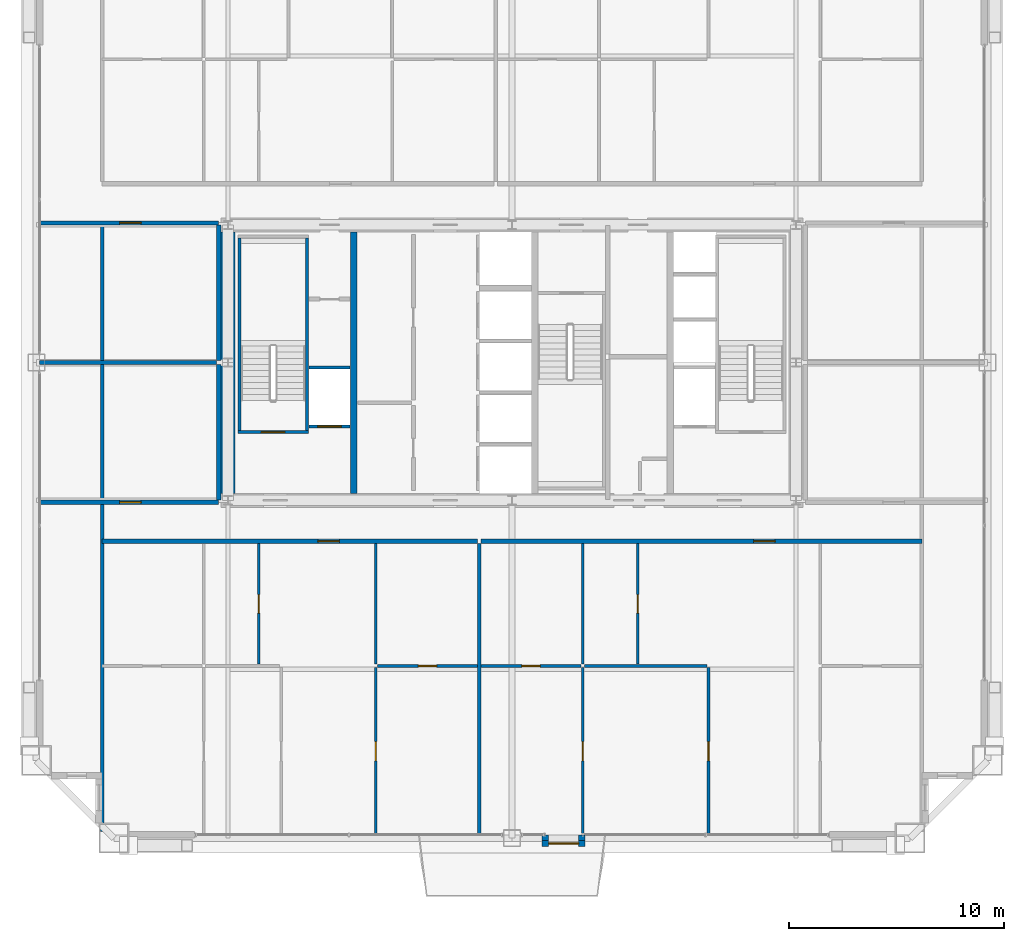
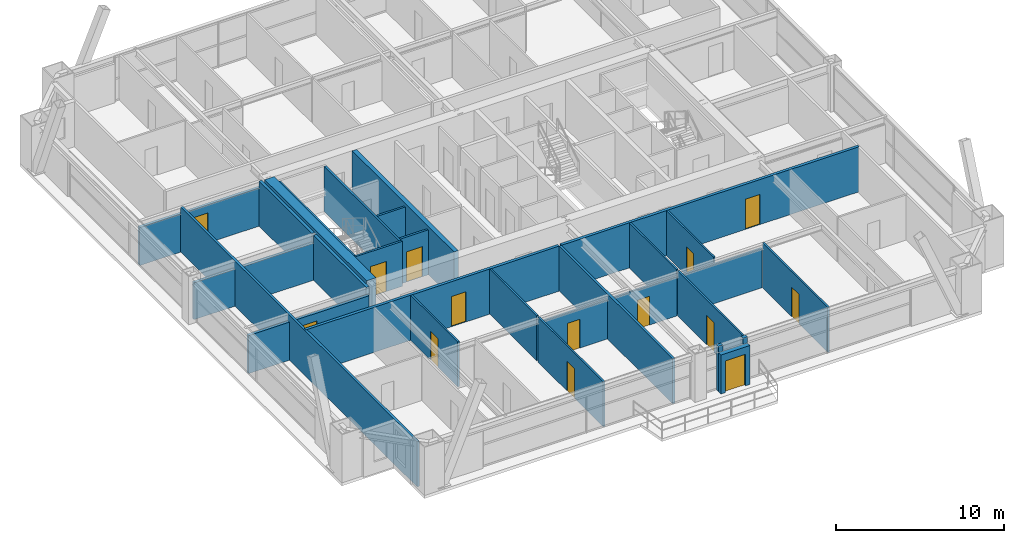
# One storey, part 40 of 45: 29 walls, 14 doors, 14 openings.
"""IFC4 building model written with IfcOpenShell, lengths in metres."""

from ifc_helpers import new_model, si_unit, direction, frame, frame_2d, origin, place, context, subcontext, project, spatial, rectangle, extrude, source, transform, mapped, material, layer, layer_set, type_object, element, fill, save


model = new_model("IFC4")

# Units and contexts
model_context = context("Model", 3, precision=1e-05, world=origin(), true_north=direction((0.0, 1.0)))
body_context = subcontext(model_context, "Body", "Model", "MODEL_VIEW")
ifc_project = project(units=[si_unit("LENGTHUNIT", "METRE"), si_unit("AREAUNIT", "SQUARE_METRE"), si_unit("VOLUMEUNIT", "CUBIC_METRE"), si_unit("PLANEANGLEUNIT", "RADIAN"), si_unit("MASSUNIT", "GRAM", prefix="KILO"), si_unit("THERMODYNAMICTEMPERATUREUNIT", "KELVIN"), si_unit("POWERUNIT", "WATT")], contexts=[model_context])

# Site, building, storey
site_placement = place(None, origin())
site = spatial("IfcSite", under=ifc_project, at=site_placement, CompositionType="ELEMENT")
building_placement = place(site_placement, origin())
building = spatial("IfcBuilding", under=site, at=building_placement, Name="Yuzanri Waterfront Tower", CompositionType="ELEMENT")
storey_placement = place(building_placement, frame((0.0, 0.0, 212.5)))
storey = spatial("IfcBuildingStorey", under=building, at=storey_placement, Name="L56", CompositionType="ELEMENT", Elevation=212.5)

# Wall, opening, door
ifc_material_1 = material(Name="Moisture-Resistant Gypsum Stud Wall", Category="gypsum")
ifc_layer_1 = layer(ifc_material_1, 0.1201171875)
ifc_layer_set_1 = layer_set([ifc_layer_1], Name="Moisture-Resistant Gypsum Stud Wall")
wall_type_1 = type_object("IfcWallType", Name="Bathroom and Kitchen Wet Partition 120", PredefinedType="PARTITIONING", material=ifc_layer_set_1)
wall_1_placement = place(storey_placement, frame((25.22705078125, 11.780029296875, 0.0), z_axis=(0.0, 0.0, 1.0), x_axis=(0.0, 1.0, 0.0)))
wall_1 = element("IfcWall", 1, at=wall_1_placement, inside=storey, type_object=wall_type_1, Name="L56 Partition UW-L56-RS1-SUB-2-E", PredefinedType="PARTITIONING", context=body_context, shape_type="SweptSolid", body=[
    extrude(rectangle(XDim=5.60986328125, YDim=0.1201171875, at=frame_2d((2.804931640625, 0.0))), origin(), (0.0, 0.0, 1.0), 3.280029296875),
])
opening_1_placement = place(wall_1_placement, frame((2.3798828125, 0.0, 0.0)))
opening_1 = element("IfcOpeningElement", 2, at=opening_1_placement, cuts=wall_1, Name="Opening ID-0850", PredefinedType="OPENING", context=body_context, shape_type="SweptSolid", body=[
    extrude(rectangle(XDim=0.85009765625, YDim=2.10009765625, at=frame_2d((0.425048828125, 1.050048828125))), frame((0.0, 0.074951171875, 0.0), z_axis=(0.0, -1.0, 0.0), x_axis=(1.0, 0.0, 0.0)), (0.0, 0.0, 1.0), 0.14990234375),
])
ifc_material_2 = material(Name="Moisture-Resistant Lacquered Timber", Category="wood")
door_type_1 = type_object("IfcDoorType", Name="En-Suite Bathroom and Kitchen Swing Door 850x2100", OperationType="NOTDEFINED", PredefinedType="DOOR", material=ifc_material_2)
shared_shape_1 = source(origin(), body_context, "Body", "SweptSolid", [
    extrude(rectangle(XDim=0.85009765625, YDim=2.10009765625, at=frame_2d((0.425048828125, 1.050048828125))), frame((0.0, 0.02490234375, 0.0), z_axis=(0.0, -1.0, 0.0), x_axis=(1.0, 0.0, 0.0)), (0.0, 0.0, 1.0), 0.050048828125),
])
door_1_placement = place(opening_1_placement, origin())
door_1 = element("IfcDoor", 3, at=door_1_placement, inside=storey, type_object=door_type_1, Name="L56 Suite Interior Room Door", OperationType="SINGLE_SWING_RIGHT", OverallHeight=2.10009765625, OverallWidth=0.85009765625, PredefinedType="DOOR", context=body_context, shape_type="MappedRepresentation", body=[
    mapped(shared_shape_1, transform((0.0, 0.0, 0.0), scale=1.0)),
])
fill(opening_1, door_1)

wall_2_placement = place(storey_placement, frame((30.748046875, 11.699951171875, 0.0), z_axis=(0.0, 0.0, 1.0), x_axis=(1.0, 0.0, 0.0)))
wall_2 = element("IfcWall", 4, at=wall_2_placement, inside=storey, type_object=wall_type_1, Name="L56 Partition UW-L56-RS1-SUB-3-S", PredefinedType="PARTITIONING", context=body_context, shape_type="SweptSolid", body=[
    extrude(rectangle(XDim=4.64697265625, YDim=0.1201171875, at=frame_2d((2.323486328125, 0.0))), origin(), (0.0, 0.0, 1.0), 2.875),
])
opening_2_placement = place(wall_2_placement, frame((1.8984375, 0.0, 0.0)))
opening_2 = element("IfcOpeningElement", 5, at=opening_2_placement, cuts=wall_2, Name="Opening ID-0850", PredefinedType="OPENING", context=body_context, shape_type="SweptSolid", body=[
    extrude(rectangle(XDim=0.85009765625, YDim=2.10009765625, at=frame_2d((0.425048828125, 1.050048828125))), frame((0.0, 0.074951171875, 0.0), z_axis=(0.0, -1.0, 0.0), x_axis=(1.0, 0.0, 0.0)), (0.0, 0.0, 1.0), 0.14990234375),
])
door_2_placement = place(opening_2_placement, origin())
door_2 = element("IfcDoor", 6, at=door_2_placement, inside=storey, type_object=door_type_1, Name="L56 Suite Interior Room Door", OperationType="SINGLE_SWING_LEFT", OverallHeight=2.10009765625, OverallWidth=0.85009765625, PredefinedType="DOOR", context=body_context, shape_type="MappedRepresentation", body=[
    mapped(shared_shape_1, transform((0.0, 0.0, 0.0), scale=1.0)),
])
fill(opening_2, door_2)

wall_3_placement = place(storey_placement, frame((30.66796875, 3.85009765625, 0.0), z_axis=(0.0, 0.0, 1.0), x_axis=(0.0, 1.0, 0.0)))
wall_3 = element("IfcWall", 7, at=wall_3_placement, inside=storey, type_object=wall_type_1, Name="L56 Partition UW-L56-RS1-SUB-5-W", PredefinedType="PARTITIONING", context=body_context, shape_type="SweptSolid", body=[
    extrude(rectangle(XDim=7.77001953125, YDim=0.1201171875, at=frame_2d((3.885009765625, 0.0))), origin(), (0.0, 0.0, 1.0), 3.280029296875),
])
opening_3_placement = place(wall_3_placement, frame((3.43505859375, 0.0, 0.0)))
opening_3 = element("IfcOpeningElement", 8, at=opening_3_placement, cuts=wall_3, Name="Opening ID-0900", PredefinedType="OPENING", context=body_context, shape_type="SweptSolid", body=[
    extrude(rectangle(XDim=0.89990234375, YDim=2.14990234375, at=frame_2d((0.449951171875, 1.074951171875))), frame((0.0, 0.074951171875, 0.0), z_axis=(0.0, -1.0, 0.0), x_axis=(1.0, 0.0, 0.0)), (0.0, 0.0, 1.0), 0.14990234375),
])
ifc_material_3 = material(Name="Stained Walnut Veneer Timber", Category="wood")
door_type_2 = type_object("IfcDoorType", Name="Bedroom and Study Interior Swing Door 900x2150", OperationType="NOTDEFINED", PredefinedType="DOOR", material=ifc_material_3)
shared_shape_2 = source(origin(), body_context, "Body", "SweptSolid", [
    extrude(rectangle(XDim=0.89990234375, YDim=2.14990234375, at=frame_2d((0.449951171875, 1.074951171875))), frame((0.0, 0.02490234375, 0.0), z_axis=(0.0, -1.0, 0.0), x_axis=(1.0, 0.0, 0.0)), (0.0, 0.0, 1.0), 0.050048828125),
])
door_3_placement = place(opening_3_placement, origin())
door_3 = element("IfcDoor", 9, at=door_3_placement, inside=storey, type_object=door_type_2, Name="L56 Suite Interior Room Door", OperationType="SINGLE_SWING_LEFT", OverallHeight=2.14990234375, OverallWidth=0.89990234375, PredefinedType="DOOR", context=body_context, shape_type="MappedRepresentation", body=[
    mapped(shared_shape_2, transform((0.0, 0.0, 0.0), scale=1.0)),
])
fill(opening_3, door_3)

wall_4_placement = place(storey_placement, frame((35.554931640625, 11.699951171875, 0.0), z_axis=(0.0, 0.0, 1.0), x_axis=(1.0, 0.0, 0.0)))
wall_4 = element("IfcWall", 10, at=wall_4_placement, inside=storey, type_object=wall_type_1, Name="L56 Partition UW-L56-RS2-SUB-1-S", PredefinedType="PARTITIONING", context=body_context, shape_type="SweptSolid", body=[
    extrude(rectangle(XDim=4.64697265625, YDim=0.1201171875, at=frame_2d((2.323486328125, 0.0))), origin(), (0.0, 0.0, 1.0), 2.875),
])
opening_4_placement = place(wall_4_placement, frame((1.8984375, 0.0, 0.0)))
opening_4 = element("IfcOpeningElement", 11, at=opening_4_placement, cuts=wall_4, Name="Opening ID-0850", PredefinedType="OPENING", context=body_context, shape_type="SweptSolid", body=[
    extrude(rectangle(XDim=0.85009765625, YDim=2.10009765625, at=frame_2d((0.425048828125, 1.050048828125))), frame((0.0, 0.074951171875, 0.0), z_axis=(0.0, -1.0, 0.0), x_axis=(1.0, 0.0, 0.0)), (0.0, 0.0, 1.0), 0.14990234375),
])
door_4_placement = place(opening_4_placement, origin())
door_4 = element("IfcDoor", 12, at=door_4_placement, inside=storey, type_object=door_type_1, Name="L56 Suite Interior Room Door", OperationType="SINGLE_SWING_RIGHT", OverallHeight=2.10009765625, OverallWidth=0.85009765625, PredefinedType="DOOR", context=body_context, shape_type="MappedRepresentation", body=[
    mapped(shared_shape_1, transform((0.0, 0.0, 0.0), scale=1.0)),
])
fill(opening_4, door_4)

wall_5_placement = place(storey_placement, frame((42.842041015625, 11.780029296875, 0.0), z_axis=(0.0, 0.0, 1.0), x_axis=(0.0, 1.0, 0.0)))
wall_5 = element("IfcWall", 13, at=wall_5_placement, inside=storey, type_object=wall_type_1, Name="L56 Partition UW-L56-RS2-SUB-2-E", PredefinedType="PARTITIONING", context=body_context, shape_type="SweptSolid", body=[
    extrude(rectangle(XDim=5.60986328125, YDim=0.1201171875, at=frame_2d((2.804931640625, 0.0))), origin(), (0.0, 0.0, 1.0), 3.280029296875),
])
opening_5_placement = place(wall_5_placement, frame((2.3798828125, 0.0, 0.0)))
opening_5 = element("IfcOpeningElement", 14, at=opening_5_placement, cuts=wall_5, Name="Opening ID-0850", PredefinedType="OPENING", context=body_context, shape_type="SweptSolid", body=[
    extrude(rectangle(XDim=0.85009765625, YDim=2.10009765625, at=frame_2d((0.425048828125, 1.050048828125))), frame((0.0, 0.074951171875, 0.0), z_axis=(0.0, -1.0, 0.0), x_axis=(1.0, 0.0, 0.0)), (0.0, 0.0, 1.0), 0.14990234375),
])
door_5_placement = place(opening_5_placement, origin())
door_5 = element("IfcDoor", 15, at=door_5_placement, inside=storey, type_object=door_type_1, Name="L56 Suite Interior Room Door", OperationType="SINGLE_SWING_LEFT", OverallHeight=2.10009765625, OverallWidth=0.85009765625, PredefinedType="DOOR", context=body_context, shape_type="MappedRepresentation", body=[
    mapped(shared_shape_1, transform((0.0, 0.0, 0.0), scale=1.0)),
])
fill(opening_5, door_5)

wall_6_placement = place(storey_placement, frame((40.281982421875, 3.85009765625, 0.0), z_axis=(0.0, 0.0, 1.0), x_axis=(0.0, 1.0, 0.0)))
wall_6 = element("IfcWall", 16, at=wall_6_placement, inside=storey, type_object=wall_type_1, Name="L56 Partition UW-L56-RS2-SUB-4-E", PredefinedType="PARTITIONING", context=body_context, shape_type="SweptSolid", body=[
    extrude(rectangle(XDim=7.77001953125, YDim=0.1201171875, at=frame_2d((3.885009765625, 0.0))), origin(), (0.0, 0.0, 1.0), 3.280029296875),
])
opening_6_placement = place(wall_6_placement, frame((3.43505859375, 0.0, 0.0)))
opening_6 = element("IfcOpeningElement", 17, at=opening_6_placement, cuts=wall_6, Name="Opening ID-0900", PredefinedType="OPENING", context=body_context, shape_type="SweptSolid", body=[
    extrude(rectangle(XDim=0.89990234375, YDim=2.14990234375, at=frame_2d((0.449951171875, 1.074951171875))), frame((0.0, 0.074951171875, 0.0), z_axis=(0.0, -1.0, 0.0), x_axis=(1.0, 0.0, 0.0)), (0.0, 0.0, 1.0), 0.14990234375),
])
door_6_placement = place(opening_6_placement, origin())
door_6 = element("IfcDoor", 18, at=door_6_placement, inside=storey, type_object=door_type_2, Name="L56 Suite Interior Room Door", OperationType="SINGLE_SWING_LEFT", OverallHeight=2.14990234375, OverallWidth=0.89990234375, PredefinedType="DOOR", context=body_context, shape_type="MappedRepresentation", body=[
    mapped(shared_shape_2, transform((0.0, 0.0, 0.0), scale=1.0)),
])
fill(opening_6, door_6)

wall_7_placement = place(storey_placement, frame((46.133056640625, 3.85009765625, 0.0), z_axis=(0.0, 0.0, 1.0), x_axis=(0.0, 1.0, 0.0)))
wall_7 = element("IfcWall", 19, at=wall_7_placement, inside=storey, type_object=wall_type_1, Name="L56 Partition UW-L56-RS2-SUB-6-E", PredefinedType="PARTITIONING", context=body_context, shape_type="SweptSolid", body=[
    extrude(rectangle(XDim=7.77001953125, YDim=0.1201171875, at=frame_2d((3.885009765625, 0.0))), origin(), (0.0, 0.0, 1.0), 3.280029296875),
])
opening_7_placement = place(wall_7_placement, frame((3.43505859375, 0.0, 0.0)))
opening_7 = element("IfcOpeningElement", 20, at=opening_7_placement, cuts=wall_7, Name="Opening ID-0900", PredefinedType="OPENING", context=body_context, shape_type="SweptSolid", body=[
    extrude(rectangle(XDim=0.89990234375, YDim=2.14990234375, at=frame_2d((0.449951171875, 1.074951171875))), frame((0.0, 0.074951171875, 0.0), z_axis=(0.0, -1.0, 0.0), x_axis=(1.0, 0.0, 0.0)), (0.0, 0.0, 1.0), 0.14990234375),
])
door_7_placement = place(opening_7_placement, origin())
door_7 = element("IfcDoor", 21, at=door_7_placement, inside=storey, type_object=door_type_2, Name="L56 Suite Interior Room Door", OperationType="SINGLE_SWING_LEFT", OverallHeight=2.14990234375, OverallWidth=0.89990234375, PredefinedType="DOOR", context=body_context, shape_type="MappedRepresentation", body=[
    mapped(shared_shape_2, transform((0.0, 0.0, 0.0), scale=1.0)),
])
fill(opening_7, door_7)

ifc_material_4 = material(Name="Honed Chongqing Dark Basalt Stone", Category="masonry")
ifc_layer_2 = layer(ifc_material_4, 0.300048828125)
ifc_layer_set_2 = layer_set([ifc_layer_2], Name="Honed Chongqing Dark Basalt Stone")
wall_type_2 = type_object("IfcWallType", Name="Bronze Rainscreen Insulated Spandrel Portal Wall 300", PredefinedType="SOLIDWALL", material=ifc_layer_set_2)
wall_8_placement = place(storey_placement, frame((38.39990234375, 3.449951171875, 0.0), z_axis=(0.0, 0.0, 1.0), x_axis=(1.0, 0.0, 0.0)))
wall_8 = element("IfcWall", 22, at=wall_8_placement, inside=storey, type_object=wall_type_2, Name="L56 S Terrace Door Portal Wall", PredefinedType="SOLIDWALL", context=body_context, shape_type="SweptSolid", body=[
    extrude(rectangle(XDim=2.0, YDim=0.300048828125, at=frame_2d((1.0, 0.0))), origin(), (0.0, 0.0, 1.0), 2.8349609375),
])
opening_8_placement = place(wall_8_placement, frame((0.300048828125, 0.0, 0.0)))
opening_8 = element("IfcOpeningElement", 23, at=opening_8_placement, cuts=wall_8, Name="Opening TD-1400", PredefinedType="OPENING", context=body_context, shape_type="SweptSolid", body=[
    extrude(rectangle(XDim=1.39990234375, YDim=2.300048828125, at=frame_2d((0.699951171875, 1.14990234375))), frame((0.0, 0.1650390625, 0.0), z_axis=(0.0, -1.0, 0.0), x_axis=(1.0, 0.0, 0.0)), (0.0, 0.0, 1.0), 0.329833984375),
])
ifc_material_5 = material(Name="Anodized Architectural Bronze", Category="metal")
door_type_3 = type_object("IfcDoorType", Name="Anodized Bronze Balcony and Terrace Glazed Double Door 1400x2300", OperationType="NOTDEFINED", PredefinedType="DOOR", material=ifc_material_5)
shared_shape_3 = source(origin(), body_context, "Body", "SweptSolid", [
    extrude(rectangle(XDim=1.39990234375, YDim=2.300048828125, at=frame_2d((0.699951171875, 1.14990234375))), frame((0.0, 0.02490234375, 0.0), z_axis=(0.0, -1.0, 0.0), x_axis=(1.0, 0.0, 0.0)), (0.0, 0.0, 1.0), 0.050048828125),
])
door_8_placement = place(opening_8_placement, origin())
door_8 = element("IfcDoor", 24, at=door_8_placement, inside=storey, type_object=door_type_3, Name="L56 S Terrace Glazed Double Door", OperationType="DOUBLE_DOOR_SINGLE_SWING", OverallHeight=2.300048828125, OverallWidth=1.39990234375, PredefinedType="DOOR", context=body_context, shape_type="MappedRepresentation", body=[
    mapped(shared_shape_3, transform((0.0, 0.0, 0.0), scale=1.0)),
])
fill(opening_8, door_8)

ifc_material_6 = material(Name="Concrete C40", Category="concrete")
ifc_layer_3 = layer(ifc_material_6, 0.139892578125)
ifc_layer_set_3 = layer_set([ifc_layer_3], Name="Concrete C40")
wall_type_3 = type_object("IfcWallType", Name="Core Stair Liner and Hoistway Shaft Wall 140", PredefinedType="SOLIDWALL", material=ifc_layer_set_3)
wall_9_placement = place(storey_placement, frame((27.56005859375, 22.830078125, 0.0), z_axis=(0.0, 0.0, 1.0), x_axis=(1.0, 0.0, 0.0)))
wall_9 = element("IfcWall", 25, at=wall_9_placement, inside=storey, type_object=wall_type_3, Name="L56 Lift FL-01 Front Shaft Wall", PredefinedType="SOLIDWALL", context=body_context, shape_type="SweptSolid", body=[
    extrude(rectangle(XDim=1.919921875, YDim=0.139892578125, at=frame_2d((0.9599609375, 0.0))), origin(), (0.0, 0.0, 1.0), 3.280029296875),
])
opening_9_placement = place(wall_9_placement, frame((0.409912109375, 0.0, 0.0)))
opening_9 = element("IfcOpeningElement", 26, at=opening_9_placement, cuts=wall_9, Name="Opening LD-FL-01", PredefinedType="OPENING", context=body_context, shape_type="SweptSolid", body=[
    extrude(rectangle(XDim=1.10009765625, YDim=2.199951171875, at=frame_2d((0.550048828125, 1.10009765625))), frame((0.0, 0.0849609375, 0.0), z_axis=(0.0, -1.0, 0.0), x_axis=(1.0, 0.0, 0.0)), (0.0, 0.0, 1.0), 0.169677734375),
])
ifc_material_7 = material(Name="Brushed Bronze and Stainless Steel Cab", Category="steel")
door_type_4 = type_object("IfcDoorType", Name="Center-Parting Bronze Lift Landing Sliding Door 1100x2200", OperationType="NOTDEFINED", PredefinedType="DOOR", material=ifc_material_7)
shared_shape_4 = source(origin(), body_context, "Body", "SweptSolid", [
    extrude(rectangle(XDim=1.10009765625, YDim=2.199951171875, at=frame_2d((0.550048828125, 1.10009765625))), frame((0.0, 0.02490234375, 0.0), z_axis=(0.0, -1.0, 0.0), x_axis=(1.0, 0.0, 0.0)), (0.0, 0.0, 1.0), 0.050048828125),
])
door_9_placement = place(opening_9_placement, origin())
door_9 = element("IfcDoor", 27, at=door_9_placement, inside=storey, type_object=door_type_4, Name="L56 FL-01 Lift Landing Sliding Door", OperationType="SLIDING_TO_LEFT", OverallHeight=2.199951171875, OverallWidth=1.10009765625, PredefinedType="DOOR", context=body_context, shape_type="MappedRepresentation", body=[
    mapped(shared_shape_4, transform((0.0, 0.0, 0.0), scale=1.0)),
])
fill(opening_9, door_9)

wall_10_placement = place(storey_placement, frame((24.260009765625, 22.570068359375, 0.0), z_axis=(0.0, 0.0, 1.0), x_axis=(1.0, 0.0, 0.0)))
wall_10 = element("IfcWall", 28, at=wall_10_placement, inside=storey, type_object=wall_type_3, Name="L56 Shaft Wall STW-L56-ST-01-S", PredefinedType="SOLIDWALL", context=body_context, shape_type="SweptSolid", body=[
    extrude(rectangle(XDim=3.280029296875, YDim=0.139892578125, at=frame_2d((1.64013671875, 0.0))), origin(), (0.0, 0.0, 1.0), 3.280029296875),
])
opening_10_placement = place(wall_10_placement, frame((1.090087890625, 0.0, 0.0)))
opening_10 = element("IfcOpeningElement", 29, at=opening_10_placement, cuts=wall_10, Name="Opening FD-1100", PredefinedType="OPENING", context=body_context, shape_type="SweptSolid", body=[
    extrude(rectangle(XDim=1.10009765625, YDim=2.199951171875, at=frame_2d((0.550048828125, 1.10009765625))), frame((0.0, 0.0849609375, 0.0), z_axis=(0.0, -1.0, 0.0), x_axis=(1.0, 0.0, 0.0)), (0.0, 0.0, 1.0), 0.169677734375),
])
ifc_material_8 = material(Name="Painted Galvanized Fire Steel", Category="steel")
door_type_5 = type_object("IfcDoorType", Name="Smoke-Proof Stair and Lobby Fire Door 1100x2200", OperationType="NOTDEFINED", PredefinedType="DOOR", material=ifc_material_8)
shared_shape_5 = source(origin(), body_context, "Body", "SweptSolid", [
    extrude(rectangle(XDim=1.10009765625, YDim=2.199951171875, at=frame_2d((0.550048828125, 1.10009765625))), frame((0.0, 0.02490234375, 0.0), z_axis=(0.0, -1.0, 0.0), x_axis=(1.0, 0.0, 0.0)), (0.0, 0.0, 1.0), 0.050048828125),
])
door_10_placement = place(opening_10_placement, origin())
door_10 = element("IfcDoor", 30, at=door_10_placement, inside=storey, type_object=door_type_5, Name="L56 Stair ST-01 Fire Door", OperationType="SINGLE_SWING_LEFT", OverallHeight=2.199951171875, OverallWidth=1.10009765625, PredefinedType="DOOR", context=body_context, shape_type="MappedRepresentation", body=[
    mapped(shared_shape_5, transform((0.0, 0.0, 0.0), scale=1.0)),
])
fill(opening_10, door_10)

ifc_material_9 = material(Name="Autoclaved Aerated Concrete Blockwork", Category="masonry")
ifc_layer_4 = layer(ifc_material_9, 0.199951171875)
ifc_layer_set_4 = layer_set([ifc_layer_4], Name="Autoclaved Aerated Concrete Blockwork")
wall_type_4 = type_object("IfcWallType", Name="Corridor and Unit Party Fire Wall 200", PredefinedType="PARTITIONING", material=ifc_layer_set_4)
wall_11_placement = place(storey_placement, frame((17.93994140625, 17.489990234375, 0.0), z_axis=(0.0, 0.0, 1.0), x_axis=(1.0, 0.0, 0.0)))
wall_11 = element("IfcWall", 31, at=wall_11_placement, inside=storey, type_object=wall_type_4, Name="L56 Partition UW-L56-RS1-CN", PredefinedType="PARTITIONING", context=body_context, shape_type="SweptSolid", body=[
    extrude(rectangle(XDim=17.455078125, YDim=0.199951171875, at=frame_2d((8.7275390625, 0.0))), origin(), (0.0, 0.0, 1.0), 3.280029296875),
])
opening_11_placement = place(wall_11_placement, frame((10.032958984375, 0.0, 0.0)))
opening_11 = element("IfcOpeningElement", 32, at=opening_11_placement, cuts=wall_11, Name="Opening FD-1000", PredefinedType="OPENING", context=body_context, shape_type="SweptSolid", body=[
    extrude(rectangle(XDim=1.0, YDim=2.199951171875, at=frame_2d((0.5, 1.10009765625))), frame((0.0, 0.11474609375, 0.0), z_axis=(0.0, -1.0, 0.0), x_axis=(1.0, 0.0, 0.0)), (0.0, 0.0, 1.0), 0.229736328125),
])
ifc_material_10 = material(Name="Engineered Oak Fire-Rated Timber", Category="wood")
door_type_6 = type_object("IfcDoorType", Name="Guestroom and Apartment Entrance Fire Door 1000x2200", OperationType="NOTDEFINED", PredefinedType="DOOR", material=ifc_material_10)
shared_shape_6 = source(origin(), body_context, "Body", "SweptSolid", [
    extrude(rectangle(XDim=1.0, YDim=2.199951171875, at=frame_2d((0.5, 1.10009765625))), frame((0.0, 0.02490234375, 0.0), z_axis=(0.0, -1.0, 0.0), x_axis=(1.0, 0.0, 0.0)), (0.0, 0.0, 1.0), 0.050048828125),
])
door_11_placement = place(opening_11_placement, origin())
door_11 = element("IfcDoor", 33, at=door_11_placement, inside=storey, type_object=door_type_6, Name="L56 Apartment Living and Dining Salon Entrance Door", OperationType="SINGLE_SWING_RIGHT", OverallHeight=2.199951171875, OverallWidth=1.0, PredefinedType="DOOR", context=body_context, shape_type="MappedRepresentation", body=[
    mapped(shared_shape_6, transform((0.0, 0.0, 0.0), scale=1.0)),
])
fill(opening_11, door_11)

wall_12_placement = place(storey_placement, frame((35.554931640625, 17.489990234375, 0.0), z_axis=(0.0, 0.0, 1.0), x_axis=(1.0, 0.0, 0.0)))
wall_12 = element("IfcWall", 34, at=wall_12_placement, inside=storey, type_object=wall_type_4, Name="L56 Partition UW-L56-RS2-CN", PredefinedType="PARTITIONING", context=body_context, shape_type="SweptSolid", body=[
    extrude(rectangle(XDim=20.505126953125, YDim=0.199951171875, at=frame_2d((10.25244140625, 0.0))), origin(), (0.0, 0.0, 1.0), 3.280029296875),
])
opening_12_placement = place(wall_12_placement, frame((12.677978515625, 0.0, 0.0)))
opening_12 = element("IfcOpeningElement", 35, at=opening_12_placement, cuts=wall_12, Name="Opening FD-1000", PredefinedType="OPENING", context=body_context, shape_type="SweptSolid", body=[
    extrude(rectangle(XDim=1.0, YDim=2.199951171875, at=frame_2d((0.5, 1.10009765625))), frame((0.0, 0.11474609375, 0.0), z_axis=(0.0, -1.0, 0.0), x_axis=(1.0, 0.0, 0.0)), (0.0, 0.0, 1.0), 0.229736328125),
])
door_12_placement = place(opening_12_placement, origin())
door_12 = element("IfcDoor", 36, at=door_12_placement, inside=storey, type_object=door_type_6, Name="L56 Apartment Living and Dining Salon Entrance Door", OperationType="SINGLE_SWING_LEFT", OverallHeight=2.199951171875, OverallWidth=1.0, PredefinedType="DOOR", context=body_context, shape_type="MappedRepresentation", body=[
    mapped(shared_shape_6, transform((0.0, 0.0, 0.0), scale=1.0)),
])
fill(opening_12, door_12)

wall_13_placement = place(storey_placement, frame((15.050048828125, 19.31005859375, 0.0), z_axis=(0.0, 0.0, 1.0), x_axis=(1.0, 0.0, 0.0)))
wall_13 = element("IfcWall", 37, at=wall_13_placement, inside=storey, type_object=wall_type_4, Name="L56 Partition UW-L56-045-CS", PredefinedType="PARTITIONING", context=body_context, shape_type="SweptSolid", body=[
    extrude(rectangle(XDim=8.300048828125, YDim=0.199951171875, at=frame_2d((4.14990234375, 0.0))), origin(), (0.0, 0.0, 1.0), 2.77490234375),
])
opening_13_placement = place(wall_13_placement, frame((3.715087890625, 0.0, 0.0)))
opening_13 = element("IfcOpeningElement", 38, at=opening_13_placement, cuts=wall_13, Name="Opening FD-1000", PredefinedType="OPENING", context=body_context, shape_type="SweptSolid", body=[
    extrude(rectangle(XDim=1.0, YDim=2.199951171875, at=frame_2d((0.5, 1.10009765625))), frame((0.0, 0.11474609375, 0.0), z_axis=(0.0, -1.0, 0.0), x_axis=(1.0, 0.0, 0.0)), (0.0, 0.0, 1.0), 0.229736328125),
])
door_13_placement = place(opening_13_placement, origin())
door_13 = element("IfcDoor", 39, at=door_13_placement, inside=storey, type_object=door_type_6, Name="L56 Residents W Fitness Gymnasium Entrance Door", OperationType="SINGLE_SWING_RIGHT", OverallHeight=2.199951171875, OverallWidth=1.0, PredefinedType="DOOR", context=body_context, shape_type="MappedRepresentation", body=[
    mapped(shared_shape_6, transform((0.0, 0.0, 0.0), scale=1.0)),
])
fill(opening_13, door_13)

wall_14_placement = place(storey_placement, frame((15.050048828125, 32.2900390625, 0.0), z_axis=(0.0, 0.0, 1.0), x_axis=(1.0, 0.0, 0.0)))
wall_14 = element("IfcWall", 40, at=wall_14_placement, inside=storey, type_object=wall_type_4, Name="L56 Partition UW-L56-046-CN", PredefinedType="PARTITIONING", context=body_context, shape_type="SweptSolid", body=[
    extrude(rectangle(XDim=8.300048828125, YDim=0.199951171875, at=frame_2d((4.14990234375, 0.0))), origin(), (0.0, 0.0, 1.0), 2.77490234375),
])
opening_14_placement = place(wall_14_placement, frame((3.715087890625, 0.0, 0.0)))
opening_14 = element("IfcOpeningElement", 41, at=opening_14_placement, cuts=wall_14, Name="Opening FD-1000", PredefinedType="OPENING", context=body_context, shape_type="SweptSolid", body=[
    extrude(rectangle(XDim=1.0, YDim=2.199951171875, at=frame_2d((0.5, 1.10009765625))), frame((0.0, 0.11474609375, 0.0), z_axis=(0.0, -1.0, 0.0), x_axis=(1.0, 0.0, 0.0)), (0.0, 0.0, 1.0), 0.229736328125),
])
door_14_placement = place(opening_14_placement, origin())
door_14 = element("IfcDoor", 42, at=door_14_placement, inside=storey, type_object=door_type_6, Name="L56 Residents W Yoga Gym Studio Entrance Door", OperationType="SINGLE_SWING_LEFT", OverallHeight=2.199951171875, OverallWidth=1.0, PredefinedType="DOOR", context=body_context, shape_type="MappedRepresentation", body=[
    mapped(shared_shape_6, transform((0.0, 0.0, 0.0), scale=1.0)),
])
fill(opening_14, door_14)

# Walls
ifc_material_11 = material(Name="Concrete C50", Category="concrete")
ifc_layer_5 = layer(ifc_material_11, 0.64990234375)
ifc_layer_set_5 = layer_set([ifc_layer_5], Name="Concrete C50")
wall_type_5 = type_object("IfcWallType", Name="Concrete C50 Mid Zone Core Shear Wall 650", PredefinedType="SHEAR", material=ifc_layer_set_5)
shared_shape_7 = source(origin(), body_context, "Body", "SweptSolid", [
    extrude(rectangle(XDim=12.14990234375, YDim=0.64990234375, at=frame_2d((6.074951171875, 0.0))), origin(), (0.0, 0.0, 1.0), 3.5),
])
wall_15_placement = place(storey_placement, frame((23.800048828125, 19.72509765625, 0.0), z_axis=(0.0, 0.0, 1.0), x_axis=(0.0, 1.0, 0.0)))
element("IfcWall", 43, at=wall_15_placement, inside=storey, type_object=wall_type_5, Name="L56 Core West Shear Wall", PredefinedType="SHEAR", context=body_context, shape_type="MappedRepresentation", body=[
    mapped(shared_shape_7, transform((0.0, 0.0, 0.0), scale=1.0)),
])
ifc_material_12 = material(Name="Concrete C50", Category="concrete")
ifc_layer_6 = layer(ifc_material_12, 0.300048828125)
ifc_layer_set_6 = layer_set([ifc_layer_6], Name="Concrete C50")
wall_type_6 = type_object("IfcWallType", Name="Concrete C50 Internal Core Shaft Structural Wall 300", PredefinedType="SOLIDWALL", material=ifc_layer_set_6)
shared_shape_8 = source(origin(), body_context, "Body", "SweptSolid", [
    extrude(rectangle(XDim=12.14990234375, YDim=0.300048828125, at=frame_2d((6.074951171875, 0.0))), origin(), (0.0, 0.0, 1.0), 3.5),
])
wall_16_placement = place(storey_placement, frame((29.64990234375, 19.72509765625, 0.0), z_axis=(0.0, 0.0, 1.0), x_axis=(0.0, 1.0, 0.0)))
element("IfcWall", 44, at=wall_16_placement, inside=storey, type_object=wall_type_6, Name="L56 Core Internal Structural Web Wall 1", PredefinedType="SOLIDWALL", context=body_context, shape_type="MappedRepresentation", body=[
    mapped(shared_shape_8, transform((0.0, 0.0, 0.0), scale=1.0)),
])
shared_shape_9 = source(origin(), body_context, "Body", "SweptSolid", [
    extrude(rectangle(XDim=0.25, YDim=0.300048828125, at=frame_2d((0.125, 0.0))), origin(), (0.0, 0.0, 1.0), 3.280029296875),
])
for number, where, z_axis, x_axis, name in (
    (45, (38.550048828125, 3.85009765625, 0.0), (0.0, 0.0, 1.0), (0.0, -1.0, 0.0), "L56 S Terrace Portal Left Return"),
    (46, (40.25, 3.60009765625, 0.0), (0.0, 0.0, 1.0), (0.0, 1.0, 0.0), "L56 S Terrace Portal Right Return"),
):
    element("IfcWall", number, at=place(storey_placement, frame(where, z_axis=z_axis, x_axis=x_axis)), inside=storey, type_object=wall_type_2, Name=name, PredefinedType="SOLIDWALL", context=body_context, shape_type="MappedRepresentation", body=[
        mapped(shared_shape_9, transform((0.0, 0.0, 0.0), scale=1.0)),
    ])
shared_shape_10 = source(origin(), body_context, "Body", "SweptSolid", [
    extrude(rectangle(XDim=1.919921875, YDim=0.139892578125, at=frame_2d((0.9599609375, 0.0))), origin(), (0.0, 0.0, 1.0), 3.280029296875),
])
wall_17_placement = place(storey_placement, frame((27.56005859375, 25.570068359375, 0.0), z_axis=(0.0, 0.0, 1.0), x_axis=(1.0, 0.0, 0.0)))
element("IfcWall", 47, at=wall_17_placement, inside=storey, type_object=wall_type_3, Name="L56 Lift FL-01 Back Shaft Wall", PredefinedType="SOLIDWALL", context=body_context, shape_type="MappedRepresentation", body=[
    mapped(shared_shape_10, transform((0.0, 0.0, 0.0), scale=1.0)),
])
shared_shape_11 = source(origin(), body_context, "Body", "SweptSolid", [
    extrude(rectangle(XDim=8.940185546875, YDim=0.139892578125, at=frame_2d((4.47021484375, 0.0))), origin(), (0.0, 0.0, 1.0), 3.280029296875),
])
for number, where, z_axis, x_axis, name in (
    (48, (24.330078125, 22.639892578125, 0.0), (0.0, 0.0, 1.0), (0.0, 1.0, 0.0), "L56 Stair ST-01 West Shaft Wall"),
    (49, (27.469970703125, 22.639892578125, 0.0), (0.0, 0.0, 1.0), (0.0, 1.0, 0.0), "L56 Stair ST-01 East Shaft Wall"),
):
    element("IfcWall", number, at=place(storey_placement, frame(where, z_axis=z_axis, x_axis=x_axis)), inside=storey, type_object=wall_type_3, Name=name, PredefinedType="SOLIDWALL", context=body_context, shape_type="MappedRepresentation", body=[
        mapped(shared_shape_11, transform((0.0, 0.0, 0.0), scale=1.0)),
    ])
ifc_material_13 = material(Name="Gypsum Fireboard Acoustic Stud Wall", Category="gypsum")
ifc_layer_7 = layer(ifc_material_13, 0.159912109375)
ifc_layer_set_7 = layer_set([ifc_layer_7], Name="Gypsum Fireboard Acoustic Stud Wall")
wall_type_7 = type_object("IfcWallType", Name="Acoustic Suite Demising Partition 160", PredefinedType="PARTITIONING", material=ifc_layer_set_7)
shared_shape_12 = source(origin(), body_context, "Body", "SweptSolid", [
    extrude(rectangle(XDim=13.539794921875, YDim=0.159912109375, at=frame_2d((6.77001953125, 0.0))), origin(), (0.0, 0.0, 1.0), 3.280029296875),
])
wall_18_placement = place(storey_placement, frame((35.47509765625, 3.85009765625, 0.0), z_axis=(0.0, 0.0, 1.0), x_axis=(0.0, 1.0, 0.0)))
element("IfcWall", 50, at=wall_18_placement, inside=storey, type_object=wall_type_7, Name="L56-RS1 Party Wall", PredefinedType="PARTITIONING", context=body_context, shape_type="MappedRepresentation", body=[
    mapped(shared_shape_12, transform((0.0, 0.0, 0.0), scale=1.0)),
])
shared_shape_13 = source(origin(), body_context, "Body", "SweptSolid", [
    extrude(rectangle(XDim=5.60986328125, YDim=0.1201171875, at=frame_2d((2.804931640625, 0.0))), origin(), (0.0, 0.0, 1.0), 3.280029296875),
])
for number, where, z_axis, x_axis, name in (
    (51, (30.66796875, 11.780029296875, 0.0), (0.0, 0.0, 1.0), (0.0, 1.0, 0.0), "L56 Partition UW-L56-RS1-SUB-3-W"),
    (52, (40.281982421875, 11.780029296875, 0.0), (0.0, 0.0, 1.0), (0.0, 1.0, 0.0), "L56 Partition UW-L56-RS2-SUB-1-E"),
):
    element("IfcWall", number, at=place(storey_placement, frame(where, z_axis=z_axis, x_axis=x_axis)), inside=storey, type_object=wall_type_1, Name=name, PredefinedType="PARTITIONING", context=body_context, shape_type="MappedRepresentation", body=[
        mapped(shared_shape_13, transform((0.0, 0.0, 0.0), scale=1.0)),
    ])
shared_shape_14 = source(origin(), body_context, "Body", "SweptSolid", [
    extrude(rectangle(XDim=8.21484375, YDim=0.199951171875, at=frame_2d((4.107421875, 0.0))), origin(), (0.0, 0.0, 1.0), 2.68701171875),
])
wall_19_placement = place(storey_placement, frame((15.050048828125, 25.800048828125, 0.0), z_axis=(0.0, 0.0, 1.0), x_axis=(1.0, 0.0, 0.0)))
element("IfcWall", 53, at=wall_19_placement, inside=storey, type_object=wall_type_4, Name="L56-045 Wing North Wall", PredefinedType="PARTITIONING", context=body_context, shape_type="MappedRepresentation", body=[
    mapped(shared_shape_14, transform((0.0, 0.0, 0.0), scale=1.0)),
])
shared_shape_15 = source(origin(), body_context, "Body", "SweptSolid", [
    extrude(rectangle(XDim=6.2900390625, YDim=0.199951171875, at=frame_2d((3.14501953125, 0.0))), origin(), (0.0, 0.0, 1.0), 3.280029296875),
])
for number, where, z_axis, x_axis, name in (
    (54, (23.3701171875, 19.409912109375, 0.0), (0.0, 0.0, 1.0), (0.0, 1.0, 0.0), "L56-045 Wing Inner Core-Side Wall"),
    (55, (23.3701171875, 25.89990234375, 0.0), (0.0, 0.0, 1.0), (0.0, 1.0, 0.0), "L56-046 Wing Inner Core-Side Wall"),
):
    element("IfcWall", number, at=place(storey_placement, frame(where, z_axis=z_axis, x_axis=x_axis)), inside=storey, type_object=wall_type_4, Name=name, PredefinedType="PARTITIONING", context=body_context, shape_type="MappedRepresentation", body=[
        mapped(shared_shape_15, transform((0.0, 0.0, 0.0), scale=1.0)),
    ])
shared_shape_16 = source(origin(), body_context, "Body", "SweptSolid", [
    extrude(rectangle(XDim=28.18994140625, YDim=0.159912109375, at=frame_2d((14.094970703125, 0.0))), origin(), (0.0, 0.0, 1.0), 3.280029296875),
])
wall_20_placement = place(storey_placement, frame((17.949951171875, 4.0, 0.0), z_axis=(0.0, 0.0, 1.0), x_axis=(0.0, 1.0, 0.0)))
element("IfcWall", 56, at=wall_20_placement, inside=storey, type_object=wall_type_7, Name="L56 South Band West End Wall", PredefinedType="PARTITIONING", context=body_context, shape_type="MappedRepresentation", body=[
    mapped(shared_shape_16, transform((0.0, 0.0, 0.0), scale=1.0)),
])
shared_shape_17 = source(origin(), body_context, "Body", "SweptSolid", [
    extrude(rectangle(XDim=5.69091796875, YDim=0.1201171875, at=frame_2d((2.845458984375, 0.0))), origin(), (0.0, 0.0, 1.0), 2.875),
])
wall_21_placement = place(storey_placement, frame((40.362060546875, 11.699951171875, 0.0), z_axis=(0.0, 0.0, 1.0), x_axis=(1.0, 0.0, 0.0)))
element("IfcWall", 57, at=wall_21_placement, inside=storey, type_object=wall_type_1, Name="L56 Partition UW-L56-RS2-SUB-6-N", PredefinedType="PARTITIONING", context=body_context, shape_type="MappedRepresentation", body=[
    mapped(shared_shape_17, transform((0.0, 0.0, 0.0), scale=1.0)),
])

save(model, "model.ifc")
